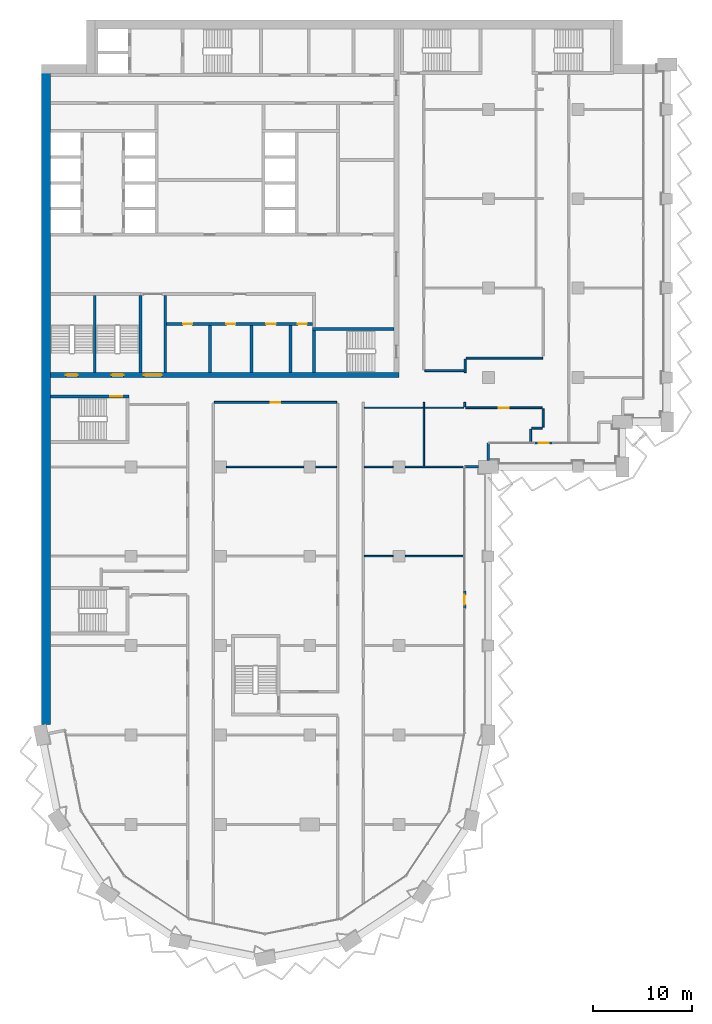
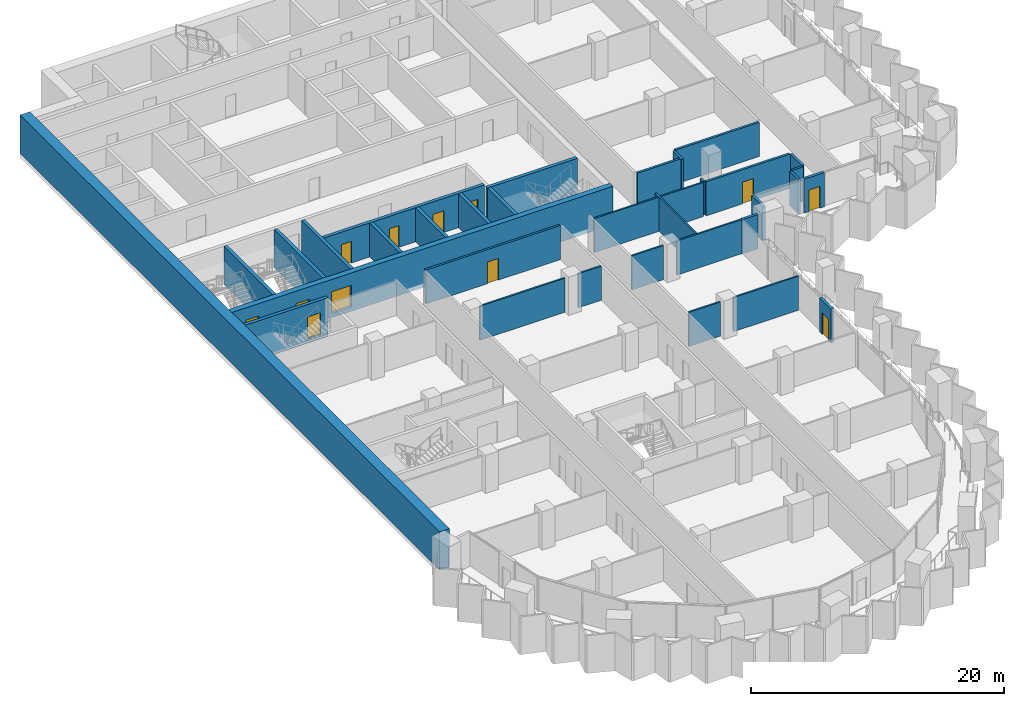
# One storey, part 11 of 22: 34 walls, 12 doors, 12 openings.
"""IFC4 building model written with IfcOpenShell, lengths in metres."""

from ifc_helpers import new_model, si_unit, direction, frame, frame_2d, origin, place, context, subcontext, project, spatial, rectangle, extrude, material, layer, layer_set, type_object, element, fill, save


model = new_model("IFC4")

# Units and contexts
model_context = context("Model", 3, precision=1e-05, world=origin(), true_north=direction((0.0, 1.0)))
body_context = subcontext(model_context, "Body", "Model", "MODEL_VIEW")
ifc_project = project(units=[si_unit("LENGTHUNIT", "METRE"), si_unit("AREAUNIT", "SQUARE_METRE"), si_unit("VOLUMEUNIT", "CUBIC_METRE"), si_unit("PLANEANGLEUNIT", "RADIAN"), si_unit("MASSUNIT", "GRAM", prefix="KILO")], contexts=[model_context])

# Site, building, storey
site_placement = place(None, origin())
site = spatial("IfcSite", under=ifc_project, at=site_placement, CompositionType="ELEMENT")
building_placement = place(site_placement, origin())
building = spatial("IfcBuilding", under=site, at=building_placement, Name="Hunhe Ridgeline Campus", CompositionType="ELEMENT")
storey_placement = place(building_placement, frame((0.0, 0.0, 163.39990234375)))
storey = spatial("IfcBuildingStorey", under=building, at=storey_placement, Name="L41", CompositionType="ELEMENT", Elevation=163.39990234375)

# Wall, openings, doors
ifc_material_1 = material(Name="Masonry concrete blockwork", Category="masonry")
ifc_layer_1 = layer(ifc_material_1, 0.300048828125)
ifc_layer_set_1 = layer_set([ifc_layer_1], Name="Core room partition 300 concrete block")
wall_type_1 = type_object("IfcWallType", Name="Core room partition 300 concrete block", PredefinedType="PARTITIONING", material=ifc_layer_set_1)
wall_1_placement = place(storey_placement, frame((12.60009765625, 68.39990234375, 0.0), z_axis=(0.0, 0.0, 1.0), x_axis=(1.0, 0.0, 0.0)))
wall_1 = element("IfcWall", 1, at=wall_1_placement, inside=storey, type_object=wall_type_1, Name="L41 core partition 9", PredefinedType="PARTITIONING", context=body_context, shape_type="SweptSolid", body=[
    extrude(rectangle(XDim=14.699951171875, YDim=0.300048828125, at=frame_2d((7.35009765625, 0.0))), origin(), (0.0, 0.0, 1.0), 3.300048828125),
])
opening_1_placement = place(wall_1_placement, frame((1.64990234375, 0.0, 0.0)))
opening_1 = element("IfcOpeningElement", 2, at=opening_1_placement, cuts=wall_1, Name="Opening CD8", PredefinedType="OPENING", context=body_context, shape_type="SweptSolid", body=[
    extrude(rectangle(XDim=0.89990234375, YDim=2.10009765625, at=frame_2d((0.449951171875, 1.050048828125))), frame((0.0, 0.14990234375, 0.0), z_axis=(0.0, -1.0, 0.0), x_axis=(1.0, 0.0, 0.0)), (0.0, 0.0, 1.0), 0.300048828125),
])
opening_2_placement = place(wall_1_placement, frame((6.0, 0.0, 0.0)))
opening_2 = element("IfcOpeningElement", 3, at=opening_2_placement, cuts=wall_1, Name="Opening CD9", PredefinedType="OPENING", context=body_context, shape_type="SweptSolid", body=[
    extrude(rectangle(XDim=0.89990234375, YDim=2.10009765625, at=frame_2d((0.449951171875, 1.050048828125))), frame((0.0, 0.14990234375, 0.0), z_axis=(0.0, -1.0, 0.0), x_axis=(1.0, 0.0, 0.0)), (0.0, 0.0, 1.0), 0.300048828125),
])
opening_3_placement = place(wall_1_placement, frame((10.0, 0.0, 0.0)))
opening_3 = element("IfcOpeningElement", 4, at=opening_3_placement, cuts=wall_1, Name="Opening CD10", PredefinedType="OPENING", context=body_context, shape_type="SweptSolid", body=[
    extrude(rectangle(XDim=1.0, YDim=2.10009765625, at=frame_2d((0.5, 1.050048828125))), frame((0.0, 0.14990234375, 0.0), z_axis=(0.0, -1.0, 0.0), x_axis=(1.0, 0.0, 0.0)), (0.0, 0.0, 1.0), 0.300048828125),
])
opening_4_placement = place(wall_1_placement, frame((13.199951171875, 0.0, 0.0)))
opening_4 = element("IfcOpeningElement", 5, at=opening_4_placement, cuts=wall_1, Name="Opening CD11", PredefinedType="OPENING", context=body_context, shape_type="SweptSolid", body=[
    extrude(rectangle(XDim=0.89990234375, YDim=2.10009765625, at=frame_2d((0.449951171875, 1.050048828125))), frame((0.0, 0.14990234375, 0.0), z_axis=(0.0, -1.0, 0.0), x_axis=(1.0, 0.0, 0.0)), (0.0, 0.0, 1.0), 0.300048828125),
])
ifc_material_2 = material(Name="Solid core timber door leaf", Category="wood")
door_type_1 = type_object("IfcDoorType", Name="Timber door 1000x2100", OperationType="SINGLE_SWING_LEFT", PredefinedType="DOOR", material=ifc_material_2)
door_1_placement = place(opening_3_placement, frame((1.0, 0.0, 0.0), z_axis=(0.0, 0.0, 1.0), x_axis=(-1.0, 0.0, 0.0)))
door_1 = element("IfcDoor", 6, at=door_1_placement, inside=storey, type_object=door_type_1, Name="L41 door WC3", OperationType="SINGLE_SWING_RIGHT", OverallHeight=2.10009765625, OverallWidth=1.0, PredefinedType="DOOR", context=body_context, shape_type="SweptSolid", body=[
    extrude(rectangle(XDim=1.0, YDim=2.10009765625, at=frame_2d((0.5, 1.050048828125))), frame((0.0, 0.02490234375, 0.0), z_axis=(0.0, -1.0, 0.0), x_axis=(1.0, 0.0, 0.0)), (0.0, 0.0, 1.0), 0.050048828125),
])
fill(opening_3, door_1)
door_type_2 = type_object("IfcDoorType", Name="Timber door 900x2100", OperationType="SINGLE_SWING_LEFT", PredefinedType="DOOR", material=ifc_material_2)
door_2_placement = place(opening_1_placement, frame((0.89990234375, 0.0, 0.0), z_axis=(0.0, 0.0, 1.0), x_axis=(-1.0, 0.0, 0.0)))
door_2 = element("IfcDoor", 7, at=door_2_placement, inside=storey, type_object=door_type_2, Name="L41 door WC1", OperationType="SINGLE_SWING_RIGHT", OverallHeight=2.10009765625, OverallWidth=0.89990234375, PredefinedType="DOOR", context=body_context, shape_type="SweptSolid", body=[
    extrude(rectangle(XDim=0.89990234375, YDim=2.10009765625, at=frame_2d((0.449951171875, 1.050048828125))), frame((0.0, 0.02490234375, 0.0), z_axis=(0.0, -1.0, 0.0), x_axis=(1.0, 0.0, 0.0)), (0.0, 0.0, 1.0), 0.050048828125),
])
fill(opening_1, door_2)
door_3_placement = place(opening_2_placement, frame((0.89990234375, 0.0, 0.0), z_axis=(0.0, 0.0, 1.0), x_axis=(-1.0, 0.0, 0.0)))
door_3 = element("IfcDoor", 8, at=door_3_placement, inside=storey, type_object=door_type_2, Name="L41 door WC2", OperationType="SINGLE_SWING_LEFT", OverallHeight=2.10009765625, OverallWidth=0.89990234375, PredefinedType="DOOR", context=body_context, shape_type="SweptSolid", body=[
    extrude(rectangle(XDim=0.89990234375, YDim=2.10009765625, at=frame_2d((0.449951171875, 1.050048828125))), frame((0.0, 0.02490234375, 0.0), z_axis=(0.0, -1.0, 0.0), x_axis=(1.0, 0.0, 0.0)), (0.0, 0.0, 1.0), 0.050048828125),
])
fill(opening_2, door_3)
door_4_placement = place(opening_4_placement, frame((0.89990234375, 0.0, 0.0), z_axis=(0.0, 0.0, 1.0), x_axis=(-1.0, 0.0, 0.0)))
door_4 = element("IfcDoor", 9, at=door_4_placement, inside=storey, type_object=door_type_2, Name="L41 door WC4", OperationType="SINGLE_SWING_LEFT", OverallHeight=2.10009765625, OverallWidth=0.89990234375, PredefinedType="DOOR", context=body_context, shape_type="SweptSolid", body=[
    extrude(rectangle(XDim=0.89990234375, YDim=2.10009765625, at=frame_2d((0.449951171875, 1.050048828125))), frame((0.0, 0.02490234375, 0.0), z_axis=(0.0, -1.0, 0.0), x_axis=(1.0, 0.0, 0.0)), (0.0, 0.0, 1.0), 0.050048828125),
])
fill(opening_4, door_4)

# Walls
wall_2_placement = place(storey_placement, frame((12.449951171875, 63.5, 0.0), z_axis=(0.0, 0.0, 1.0), x_axis=(0.0, 1.0, 0.0)))
element("IfcWall", 10, at=wall_2_placement, inside=storey, type_object=wall_type_1, Name="L41 core partition 42", PredefinedType="PARTITIONING", context=body_context, shape_type="SweptSolid", body=[
    extrude(rectangle(XDim=7.75, YDim=0.300048828125, at=frame_2d((3.875, 0.0))), origin(), (0.0, 0.0, 1.0), 3.300048828125),
])
for number, where, z_axis, x_axis, name in (
    (11, (16.949951171875, 63.5, 0.0), (0.0, 0.0, 1.0), (0.0, 1.0, 0.0), "L41 core partition 44"),
    (12, (21.14990234375, 63.5, 0.0), (0.0, 0.0, 1.0), (0.0, 1.0, 0.0), "L41 core partition 46"),
    (13, (25.050048828125, 63.5, 0.0), (0.0, 0.0, 1.0), (0.0, 1.0, 0.0), "L41 core partition 51"),
):
    element("IfcWall", number, at=place(storey_placement, frame(where, z_axis=z_axis, x_axis=x_axis)), inside=storey, type_object=wall_type_1, Name=name, PredefinedType="PARTITIONING", context=body_context, shape_type="SweptSolid", body=[
        extrude(rectangle(XDim=4.75, YDim=0.300048828125, at=frame_2d((2.375, 0.0))), origin(), (0.0, 0.0, 1.0), 3.300048828125),
    ])

# Wall, openings, doors
ifc_material_3 = material(Name="Concrete C70", Category="concrete")
ifc_layer_2 = layer(ifc_material_3, 0.5)
ifc_layer_set_2 = layer_set([ifc_layer_2], Name="Core wall 500 reinforced concrete C70")
wall_type_2 = type_object("IfcWallType", Name="Core wall 500 reinforced concrete C70", PredefinedType="SOLIDWALL", material=ifc_layer_set_2)
wall_3_placement = place(storey_placement, frame((0.89990234375, 63.25, -0.39990234375), z_axis=(0.0, 0.0, 1.0), x_axis=(1.0, 0.0, 0.0)))
wall_3 = element("IfcWall", 14, at=wall_3_placement, inside=storey, type_object=wall_type_2, Name="L41 core wall 7", PredefinedType="SOLIDWALL", context=body_context, shape_type="SweptSolid", body=[
    extrude(rectangle(XDim=35.10009765625, YDim=0.5, at=frame_2d((17.550048828125, 0.0))), origin(), (0.0, 0.0, 1.0), 3.699951171875),
])
opening_5_placement = place(wall_3_placement, frame((9.39990234375, 0.0, 0.39990234375)))
opening_5 = element("IfcOpeningElement", 15, at=opening_5_placement, cuts=wall_3, Name="Opening CD6", PredefinedType="OPENING", context=body_context, shape_type="SweptSolid", body=[
    extrude(rectangle(XDim=1.800048828125, YDim=2.10009765625, at=frame_2d((0.89990234375, 1.050048828125))), frame((0.0, 0.25, 0.0), z_axis=(0.0, -1.0, 0.0), x_axis=(1.0, 0.0, 0.0)), (0.0, 0.0, 1.0), 0.5),
])
opening_6_placement = place(wall_3_placement, frame((1.550048828125, 0.0, 0.39990234375)))
opening_6 = element("IfcOpeningElement", 16, at=opening_6_placement, cuts=wall_3, Name="Opening CD13", PredefinedType="OPENING", context=body_context, shape_type="SweptSolid", body=[
    extrude(rectangle(XDim=1.199951171875, YDim=2.10009765625, at=frame_2d((0.60009765625, 1.050048828125))), frame((0.0, 0.25, 0.0), z_axis=(0.0, -1.0, 0.0), x_axis=(1.0, 0.0, 0.0)), (0.0, 0.0, 1.0), 0.5),
])
opening_7_placement = place(wall_3_placement, frame((6.14990234375, 0.0, 0.39990234375)))
opening_7 = element("IfcOpeningElement", 17, at=opening_7_placement, cuts=wall_3, Name="Opening CD14", PredefinedType="OPENING", context=body_context, shape_type="SweptSolid", body=[
    extrude(rectangle(XDim=1.199951171875, YDim=2.10009765625, at=frame_2d((0.60009765625, 1.050048828125))), frame((0.0, 0.25, 0.0), z_axis=(0.0, -1.0, 0.0), x_axis=(1.0, 0.0, 0.0)), (0.0, 0.0, 1.0), 0.5),
])
ifc_material_4 = material(Name="Anodised aluminium and glass", Category="aluminium")
door_type_3 = type_object("IfcDoorType", Name="Glazed double door 1800x2100", OperationType="DOUBLE_DOOR_SINGLE_SWING", PredefinedType="DOOR", material=ifc_material_4)
door_5_placement = place(opening_5_placement, frame((1.800048828125, 0.0, 0.0), z_axis=(0.0, 0.0, 1.0), x_axis=(-1.0, 0.0, 0.0)))
door_5 = element("IfcDoor", 18, at=door_5_placement, inside=storey, type_object=door_type_3, Name="L41 door VEST-FLOOR", OperationType="DOUBLE_DOOR_SINGLE_SWING", OverallHeight=2.10009765625, OverallWidth=1.800048828125, PredefinedType="DOOR", context=body_context, shape_type="SweptSolid", body=[
    extrude(rectangle(XDim=1.800048828125, YDim=2.10009765625, at=frame_2d((0.89990234375, 1.050048828125))), frame((0.0, 0.02490234375, 0.0), z_axis=(0.0, -1.0, 0.0), x_axis=(1.0, 0.0, 0.0)), (0.0, 0.0, 1.0), 0.050048828125),
])
fill(opening_5, door_5)
ifc_material_5 = material(Name="Hollow metal fire door leaf")
door_type_4 = type_object("IfcDoorType", Name="Stair door 1200x2100 FD60", OperationType="SINGLE_SWING_LEFT", PredefinedType="DOOR", material=ifc_material_5)
door_6_placement = place(opening_6_placement, frame((1.199951171875, 0.0, 0.0), z_axis=(0.0, 0.0, 1.0), x_axis=(-1.0, 0.0, 0.0)))
door_6 = element("IfcDoor", 19, at=door_6_placement, inside=storey, type_object=door_type_4, Name="L41 door S3", OperationType="SINGLE_SWING_RIGHT", OverallHeight=2.10009765625, OverallWidth=1.199951171875, PredefinedType="DOOR", context=body_context, shape_type="SweptSolid", body=[
    extrude(rectangle(XDim=1.199951171875, YDim=2.10009765625, at=frame_2d((0.60009765625, 1.050048828125))), frame((0.0, 0.02490234375, 0.0), z_axis=(0.0, -1.0, 0.0), x_axis=(1.0, 0.0, 0.0)), (0.0, 0.0, 1.0), 0.050048828125),
])
fill(opening_6, door_6)
door_7_placement = place(opening_7_placement, frame((1.199951171875, 0.0, 0.0), z_axis=(0.0, 0.0, 1.0), x_axis=(-1.0, 0.0, 0.0)))
door_7 = element("IfcDoor", 20, at=door_7_placement, inside=storey, type_object=door_type_4, Name="L41 door S4", OperationType="SINGLE_SWING_LEFT", OverallHeight=2.10009765625, OverallWidth=1.199951171875, PredefinedType="DOOR", context=body_context, shape_type="SweptSolid", body=[
    extrude(rectangle(XDim=1.199951171875, YDim=2.10009765625, at=frame_2d((0.60009765625, 1.050048828125))), frame((0.0, 0.02490234375, 0.0), z_axis=(0.0, -1.0, 0.0), x_axis=(1.0, 0.0, 0.0)), (0.0, 0.0, 1.0), 0.050048828125),
])
fill(opening_7, door_7)

# Walls
ifc_material_6 = material(Name="Concrete C30", Category="concrete")
ifc_layer_3 = layer(ifc_material_6, 0.25)
ifc_layer_set_3 = layer_set([ifc_layer_3], Name="Corner return wall 250 Concrete C30")
wall_type_3 = type_object("IfcWallType", Name="Corner return wall 250 Concrete C30", PredefinedType="SOLIDWALL", material=ifc_layer_set_3)
wall_4_placement = place(storey_placement, frame((42.59912109375, 54.00048828125, 0.0), z_axis=(0.0, 0.0, 1.0), x_axis=(0.999999984814, 0.000174276749, 0.0)))
element("IfcWall", 21, at=wall_4_placement, inside=storey, type_object=wall_type_3, Name="Corner return wall 2", PredefinedType="SOLIDWALL", context=body_context, shape_type="SweptSolid", body=[
    extrude(rectangle(XDim=1.40087890625, YDim=0.25, at=frame_2d((0.700439453125, 0.0))), origin(), (0.0, 0.0, 1.0), 3.300048828125),
])
wall_5_placement = place(storey_placement, frame((44.999267578125, 54.64990234375, 0.0), z_axis=(0.0, 0.0, 1.0), x_axis=(0.000278862231, 0.999999961118, 0.0)))
element("IfcWall", 22, at=wall_5_placement, inside=storey, type_object=wall_type_3, Name="Corner return wall 3", PredefinedType="SOLIDWALL", context=body_context, shape_type="SweptSolid", body=[
    extrude(rectangle(XDim=1.7509765625, YDim=0.25, at=frame_2d((0.87548828125, 0.0))), origin(), (0.0, 0.0, 1.0), 3.300048828125),
])
ifc_material_7 = material(Name="Gypsum board partition")
ifc_layer_4 = layer(ifc_material_7, 0.199951171875)
ifc_layer_set_4 = layer_set([ifc_layer_4], Name="Corridor partition 200 gypsum board on steel studs")
wall_type_4 = type_object("IfcWallType", Name="Corridor partition 200 gypsum board on steel studs", PredefinedType="PARTITIONING", material=ifc_layer_set_4)
wall_6_placement = place(storey_placement, frame((49.34912109375, 57.90087890625, 0.0), z_axis=(0.0, 0.0, 1.0), x_axis=(1.0, 0.0, 0.0)))
element("IfcWall", 23, at=wall_6_placement, inside=storey, type_object=wall_type_4, Name="F-L41-wall-036", PredefinedType="PARTITIONING", context=body_context, shape_type="SweptSolid", body=[
    extrude(rectangle(XDim=1.05078125, YDim=0.199951171875, at=frame_2d((0.525390625, 0.0))), origin(), (0.0, 0.0, 1.0), 3.300048828125),
])

# Wall, opening, door
wall_7_placement = place(storey_placement, frame((50.39990234375, 59.950927734375, 0.0), z_axis=(0.0, 0.0, 1.0), x_axis=(-1.0, 0.0, 0.0)))
wall_7 = element("IfcWall", 24, at=wall_7_placement, inside=storey, type_object=wall_type_4, Name="F-L41-wall-039", PredefinedType="PARTITIONING", context=body_context, shape_type="SweptSolid", body=[
    extrude(rectangle(XDim=7.699951171875, YDim=0.199951171875, at=frame_2d((3.85009765625, 0.0))), origin(), (0.0, 0.0, 1.0), 3.300048828125),
])
opening_8_placement = place(wall_7_placement, frame((3.35009765625, 0.0, 0.0)))
opening_8 = element("IfcOpeningElement", 25, at=opening_8_placement, cuts=wall_7, Name="Opening RD1-027", PredefinedType="OPENING", context=body_context, shape_type="SweptSolid", body=[
    extrude(rectangle(XDim=1.0, YDim=2.10009765625, at=frame_2d((0.5, 1.050048828125))), frame((0.0, 0.10009765625, 0.0), z_axis=(0.0, -1.0, 0.0), x_axis=(1.0, 0.0, 0.0)), (0.0, 0.0, 1.0), 0.199951171875),
])
ifc_material_8 = material(Name="Timber door leaf", Category="wood")
door_type_5 = type_object("IfcDoorType", Name="Single fire door 1000x2100 timber FD60", OperationType="NOTDEFINED", PredefinedType="DOOR", material=ifc_material_8)
door_8_placement = place(opening_8_placement, origin())
door_8 = element("IfcDoor", 26, at=door_8_placement, inside=storey, type_object=door_type_5, Name="F-L41-door-027", OperationType="SINGLE_SWING_LEFT", OverallHeight=2.10009765625, OverallWidth=1.0, PredefinedType="DOOR", context=body_context, shape_type="SweptSolid", body=[
    extrude(rectangle(XDim=1.0, YDim=2.10009765625, at=frame_2d((0.5, 1.050048828125))), frame((0.0, 0.02490234375, 0.0), z_axis=(0.0, -1.0, 0.0), x_axis=(1.0, 0.0, 0.0)), (0.0, 0.0, 1.0), 0.050048828125),
])
fill(opening_8, door_8)

wall_8_placement = place(storey_placement, frame((29.699951171875, 60.5, 0.0), z_axis=(0.0, 0.0, 1.0), x_axis=(-1.0, 0.0, 0.0)))
wall_8 = element("IfcWall", 27, at=wall_8_placement, inside=storey, type_object=wall_type_4, Name="F-L41-wall-041", PredefinedType="PARTITIONING", context=body_context, shape_type="SweptSolid", body=[
    extrude(rectangle(XDim=12.300048828125, YDim=0.199951171875, at=frame_2d((6.14990234375, 0.0))), origin(), (0.0, 0.0, 1.0), 3.300048828125),
])
opening_9_placement = place(wall_8_placement, frame((5.64990234375, 0.0, 0.0)))
opening_9 = element("IfcOpeningElement", 28, at=opening_9_placement, cuts=wall_8, Name="Opening RD1-028", PredefinedType="OPENING", context=body_context, shape_type="SweptSolid", body=[
    extrude(rectangle(XDim=1.0, YDim=2.10009765625, at=frame_2d((0.5, 1.050048828125))), frame((0.0, 0.10009765625, 0.0), z_axis=(0.0, -1.0, 0.0), x_axis=(1.0, 0.0, 0.0)), (0.0, 0.0, 1.0), 0.199951171875),
])
door_9_placement = place(opening_9_placement, origin())
door_9 = element("IfcDoor", 29, at=door_9_placement, inside=storey, type_object=door_type_5, Name="F-L41-door-028", OperationType="SINGLE_SWING_LEFT", OverallHeight=2.10009765625, OverallWidth=1.0, PredefinedType="DOOR", context=body_context, shape_type="SweptSolid", body=[
    extrude(rectangle(XDim=1.0, YDim=2.10009765625, at=frame_2d((0.5, 1.050048828125))), frame((0.0, 0.02490234375, 0.0), z_axis=(0.0, -1.0, 0.0), x_axis=(1.0, 0.0, 0.0)), (0.0, 0.0, 1.0), 0.050048828125),
])
fill(opening_9, door_9)

# Walls
wall_9_placement = place(storey_placement, frame((38.60009765625, 63.699951171875, 0.0), z_axis=(0.0, 0.0, 1.0), x_axis=(1.0, 0.0, 0.0)))
element("IfcWall", 30, at=wall_9_placement, inside=storey, type_object=wall_type_4, Name="F-L41-wall-043", PredefinedType="PARTITIONING", context=body_context, shape_type="SweptSolid", body=[
    extrude(rectangle(XDim=3.949951171875, YDim=0.199951171875, at=frame_2d((1.97509765625, 0.0))), origin(), (0.0, 0.0, 1.0), 3.300048828125),
])
wall_10_placement = place(storey_placement, frame((42.75, 64.949951171875, 0.0), z_axis=(0.0, 0.0, 1.0), x_axis=(1.0, 0.0, 0.0)))
element("IfcWall", 31, at=wall_10_placement, inside=storey, type_object=wall_type_4, Name="F-L41-wall-044", PredefinedType="PARTITIONING", context=body_context, shape_type="SweptSolid", body=[
    extrude(rectangle(XDim=7.699951171875, YDim=0.199951171875, at=frame_2d((3.85009765625, 0.0))), origin(), (0.0, 0.0, 1.0), 3.300048828125),
])
wall_11_placement = place(storey_placement, frame((42.60009765625, 60.051025390625, 0.0), z_axis=(0.0, 0.0, 1.0), x_axis=(0.0, 1.0, 0.0)))
element("IfcWall", 32, at=wall_11_placement, inside=storey, type_object=wall_type_4, Name="F-L41-wall-065", PredefinedType="PARTITIONING", context=body_context, shape_type="SweptSolid", body=[
    extrude(rectangle(XDim=0.448974609375, YDim=0.199951171875, at=frame_2d((0.224609375, 0.0))), origin(), (0.0, 0.0, 1.0), 3.300048828125),
])
wall_12_placement = place(storey_placement, frame((42.64990234375, 63.487548828125, 0.0), z_axis=(0.0, 0.0, 1.0), x_axis=(0.0, 1.0, 0.0)))
element("IfcWall", 33, at=wall_12_placement, inside=storey, type_object=wall_type_4, Name="F-L41-wall-066", PredefinedType="PARTITIONING", context=body_context, shape_type="SweptSolid", body=[
    extrude(rectangle(XDim=1.362548828125, YDim=0.199951171875, at=frame_2d((0.68115234375, 0.0))), origin(), (0.0, 0.0, 1.0), 3.300048828125),
])
wall_13_placement = place(storey_placement, frame((49.2490234375, 56.455078125, 0.0), z_axis=(0.0, 0.0, 1.0), x_axis=(0.0, 1.0, 0.0)))
element("IfcWall", 34, at=wall_13_placement, inside=storey, type_object=wall_type_4, Name="F-L41-wall-067", PredefinedType="PARTITIONING", context=body_context, shape_type="SweptSolid", body=[
    extrude(rectangle(XDim=1.345947265625, YDim=0.199951171875, at=frame_2d((0.6728515625, 0.0))), origin(), (0.0, 0.0, 1.0), 3.300048828125),
])
wall_14_placement = place(storey_placement, frame((50.5, 58.0009765625, 0.0), z_axis=(0.0, 0.0, 1.0), x_axis=(0.0, 1.0, 0.0)))
element("IfcWall", 35, at=wall_14_placement, inside=storey, type_object=wall_type_4, Name="F-L41-wall-072", PredefinedType="PARTITIONING", context=body_context, shape_type="SweptSolid", body=[
    extrude(rectangle(XDim=1.8447265625, YDim=0.199951171875, at=frame_2d((0.92236328125, 0.0))), origin(), (0.0, 0.0, 1.0), 3.300048828125),
])

# Wall, opening, door
ifc_layer_5 = layer(ifc_material_6, 0.25)
ifc_layer_set_5 = layer_set([ifc_layer_5], Name="Loggia door pier wall 250 Concrete C30")
wall_type_5 = type_object("IfcWallType", Name="Loggia door pier wall 250 Concrete C30", PredefinedType="SOLIDWALL", material=ifc_layer_set_5)
wall_15_placement = place(storey_placement, frame((42.59912109375, 39.718505859375, 0.0), z_axis=(0.0, 0.0, 1.0), x_axis=(0.0, 1.0, 0.0)))
wall_15 = element("IfcWall", 36, at=wall_15_placement, inside=storey, type_object=wall_type_5, Name="Loggia door pier 3", PredefinedType="SOLIDWALL", context=body_context, shape_type="SweptSolid", body=[
    extrude(rectangle(XDim=1.800048828125, YDim=0.25, at=frame_2d((0.89990234375, 0.0))), origin(), (0.0, 0.0, 1.0), 3.300048828125),
])
opening_10_placement = place(wall_15_placement, frame((0.39990234375, 0.0, 0.0)))
opening_10 = element("IfcOpeningElement", 37, at=opening_10_placement, cuts=wall_15, Name="Opening BD305", PredefinedType="OPENING", context=body_context, shape_type="SweptSolid", body=[
    extrude(rectangle(XDim=1.0, YDim=2.10009765625, at=frame_2d((0.5, 1.050048828125))), frame((0.0, 0.125, 0.0), z_axis=(0.0, -1.0, 0.0), x_axis=(1.0, 0.0, 0.0)), (0.0, 0.0, 1.0), 0.25),
])
ifc_material_9 = material(Name="Aluminium 6063", Category="aluminium")
door_type_6 = type_object("IfcDoorType", Name="Loggia glazed door 1000x2100", OperationType="NOTDEFINED", PredefinedType="DOOR", material=ifc_material_9)
door_10_placement = place(opening_10_placement, frame((1.0, 0.0, 0.0), z_axis=(0.0, 0.0, 1.0), x_axis=(-1.0, 0.0, 0.0)))
door_10 = element("IfcDoor", 38, at=door_10_placement, inside=storey, type_object=door_type_6, Name="Loggia door BD305", OperationType="SINGLE_SWING_RIGHT", OverallHeight=2.10009765625, OverallWidth=1.0, PredefinedType="DOOR", context=body_context, shape_type="SweptSolid", body=[
    extrude(rectangle(XDim=1.0, YDim=2.10009765625, at=frame_2d((0.5, 1.050048828125))), frame((0.0, 0.02490234375, 0.0), z_axis=(0.0, -1.0, 0.0), x_axis=(1.0, 0.0, 0.0)), (0.0, 0.0, 1.0), 0.050048828125),
])
fill(opening_10, door_10)

wall_16_placement = place(storey_placement, frame((49.6494140625, 56.40087890625, 0.0), z_axis=(0.0, 0.0, 1.0), x_axis=(1.0, 0.0, 0.0)))
wall_16 = element("IfcWall", 39, at=wall_16_placement, inside=storey, type_object=wall_type_5, Name="Loggia door pier 4", PredefinedType="SOLIDWALL", context=body_context, shape_type="SweptSolid", body=[
    extrude(rectangle(XDim=1.800048828125, YDim=0.25, at=frame_2d((0.89990234375, 0.0))), origin(), (0.0, 0.0, 1.0), 3.300048828125),
])
opening_11_placement = place(wall_16_placement, frame((0.39990234375, 0.0, 0.0)))
opening_11 = element("IfcOpeningElement", 40, at=opening_11_placement, cuts=wall_16, Name="Opening BD306", PredefinedType="OPENING", context=body_context, shape_type="SweptSolid", body=[
    extrude(rectangle(XDim=1.0, YDim=2.10009765625, at=frame_2d((0.5, 1.050048828125))), frame((0.0, 0.125, 0.0), z_axis=(0.0, -1.0, 0.0), x_axis=(1.0, 0.0, 0.0)), (0.0, 0.0, 1.0), 0.25),
])
door_11_placement = place(opening_11_placement, frame((1.0, 0.0, 0.0), z_axis=(0.0, 0.0, 1.0), x_axis=(-1.0, 0.0, 0.0)))
door_11 = element("IfcDoor", 41, at=door_11_placement, inside=storey, type_object=door_type_6, Name="Loggia door BD306", OperationType="SINGLE_SWING_LEFT", OverallHeight=2.10009765625, OverallWidth=1.0, PredefinedType="DOOR", context=body_context, shape_type="SweptSolid", body=[
    extrude(rectangle(XDim=1.0, YDim=2.10009765625, at=frame_2d((0.5, 1.050048828125))), frame((0.0, 0.02490234375, 0.0), z_axis=(0.0, -1.0, 0.0), x_axis=(1.0, 0.0, 0.0)), (0.0, 0.0, 1.0), 0.050048828125),
])
fill(opening_11, door_11)

# Walls
ifc_layer_6 = layer(ifc_material_7, 0.14990234375)
ifc_layer_set_6 = layer_set([ifc_layer_6], Name="Room partition 150 gypsum board on steel studs")
wall_type_6 = type_object("IfcWallType", Name="Room partition 150 gypsum board on steel studs", PredefinedType="PARTITIONING", material=ifc_layer_set_6)
wall_17_placement = place(storey_placement, frame((32.5, 45.0, 0.0), z_axis=(0.0, 0.0, 1.0), x_axis=(1.0, 0.0, 0.0)))
element("IfcWall", 42, at=wall_17_placement, inside=storey, type_object=wall_type_6, Name="F-L41-wall-028", PredefinedType="PARTITIONING", context=body_context, shape_type="SweptSolid", body=[
    extrude(rectangle(XDim=2.89990234375, YDim=0.14990234375, at=frame_2d((1.449951171875, 0.0))), origin(), (0.0, 0.0, 1.0), 3.300048828125),
])
wall_18_placement = place(storey_placement, frame((36.60009765625, 45.0, 0.0), z_axis=(0.0, 0.0, 1.0), x_axis=(1.0, 0.0, 0.0)))
element("IfcWall", 43, at=wall_18_placement, inside=storey, type_object=wall_type_6, Name="F-L41-wall-029", PredefinedType="PARTITIONING", context=body_context, shape_type="SweptSolid", body=[
    extrude(rectangle(XDim=5.945068359375, YDim=0.14990234375, at=frame_2d((2.97265625, 0.0))), origin(), (0.0, 0.0, 1.0), 3.300048828125),
])
wall_19_placement = place(storey_placement, frame((18.60009765625, 54.0, 0.0), z_axis=(0.0, 0.0, 1.0), x_axis=(1.0, 0.0, 0.0)))
element("IfcWall", 44, at=wall_19_placement, inside=storey, type_object=wall_type_6, Name="F-L41-wall-032", PredefinedType="PARTITIONING", context=body_context, shape_type="SweptSolid", body=[
    extrude(rectangle(XDim=7.7998046875, YDim=0.14990234375, at=frame_2d((3.89990234375, 0.0))), origin(), (0.0, 0.0, 1.0), 3.300048828125),
])
wall_20_placement = place(storey_placement, frame((27.60009765625, 54.0, 0.0), z_axis=(0.0, 0.0, 1.0), x_axis=(1.0, 0.0, 0.0)))
element("IfcWall", 45, at=wall_20_placement, inside=storey, type_object=wall_type_6, Name="F-L41-wall-033", PredefinedType="PARTITIONING", context=body_context, shape_type="SweptSolid", body=[
    extrude(rectangle(XDim=2.099853515625, YDim=0.14990234375, at=frame_2d((1.0498046875, 0.0))), origin(), (0.0, 0.0, 1.0), 3.300048828125),
])
wall_21_placement = place(storey_placement, frame((32.5, 54.0, 0.0), z_axis=(0.0, 0.0, 1.0), x_axis=(1.0, 0.0, 0.0)))
element("IfcWall", 46, at=wall_21_placement, inside=storey, type_object=wall_type_6, Name="F-L41-wall-034", PredefinedType="PARTITIONING", context=body_context, shape_type="SweptSolid", body=[
    extrude(rectangle(XDim=2.89990234375, YDim=0.14990234375, at=frame_2d((1.449951171875, 0.0))), origin(), (0.0, 0.0, 1.0), 3.300048828125),
])
wall_22_placement = place(storey_placement, frame((36.60009765625, 54.0, 0.0), z_axis=(0.0, 0.0, 1.0), x_axis=(1.0, 0.0, 0.0)))
element("IfcWall", 47, at=wall_22_placement, inside=storey, type_object=wall_type_6, Name="F-L41-wall-035", PredefinedType="PARTITIONING", context=body_context, shape_type="SweptSolid", body=[
    extrude(rectangle(XDim=5.945068359375, YDim=0.14990234375, at=frame_2d((2.97265625, 0.0))), origin(), (0.0, 0.0, 1.0), 3.300048828125),
])
wall_23_placement = place(storey_placement, frame((32.5, 59.950927734375, 0.0), z_axis=(0.0, 0.0, 1.0), x_axis=(1.0, 0.0, 0.0)))
element("IfcWall", 48, at=wall_23_placement, inside=storey, type_object=wall_type_6, Name="F-L41-wall-037", PredefinedType="PARTITIONING", context=body_context, shape_type="SweptSolid", body=[
    extrude(rectangle(XDim=5.925048828125, YDim=0.14990234375, at=frame_2d((2.96240234375, 0.0))), origin(), (0.0, 0.0, 1.0), 3.300048828125),
])
wall_24_placement = place(storey_placement, frame((38.574951171875, 59.950927734375, 0.0), z_axis=(0.0, 0.0, 1.0), x_axis=(1.0, 0.0, 0.0)))
element("IfcWall", 49, at=wall_24_placement, inside=storey, type_object=wall_type_6, Name="F-L41-wall-038", PredefinedType="PARTITIONING", context=body_context, shape_type="SweptSolid", body=[
    extrude(rectangle(XDim=3.925048828125, YDim=0.14990234375, at=frame_2d((1.96240234375, 0.0))), origin(), (0.0, 0.0, 1.0), 3.300048828125),
])
wall_25_placement = place(storey_placement, frame((38.5, 60.5, 0.0), z_axis=(0.0, 0.0, 1.0), x_axis=(0.0, -1.0, 0.0)))
element("IfcWall", 50, at=wall_25_placement, inside=storey, type_object=wall_type_6, Name="F-L41-wall-063", PredefinedType="PARTITIONING", context=body_context, shape_type="SweptSolid", body=[
    extrude(rectangle(XDim=6.425048828125, YDim=0.14990234375, at=frame_2d((3.21240234375, 0.0))), origin(), (0.0, 0.0, 1.0), 3.300048828125),
])
ifc_layer_7 = layer(ifc_material_3, 0.89990234375)
ifc_layer_set_7 = layer_set([ifc_layer_7], Name="Spine wall 900 Concrete C70")
wall_type_7 = type_object("IfcWallType", Name="Spine wall 900 Concrete C70", PredefinedType="SHEAR", material=ifc_layer_set_7)
wall_26_placement = place(storey_placement, frame((0.449951171875, 94.5, 0.0), z_axis=(0.0, 0.0, 1.0), x_axis=(0.0, -1.0, 0.0)))
element("IfcWall", 51, at=wall_26_placement, inside=storey, type_object=wall_type_7, Name="Spine wall SW2-1 L41", PredefinedType="SHEAR", context=body_context, shape_type="SweptSolid", body=[
    extrude(rectangle(XDim=66.430419921875, YDim=0.89990234375, at=frame_2d((33.21533203125, 0.0))), origin(), (0.0, 0.0, 1.0), 3.7001953125),
])

# Wall, opening, door
ifc_layer_8 = layer(ifc_material_3, 0.300048828125)
ifc_layer_set_8 = layer_set([ifc_layer_8], Name="Stair wall 300 reinforced concrete C70")
wall_type_8 = type_object("IfcWallType", Name="Stair wall 300 reinforced concrete C70", PredefinedType="SOLIDWALL", material=ifc_layer_set_8)
wall_27_placement = place(storey_placement, frame((0.89990234375, 61.10009765625, -0.39990234375), z_axis=(0.0, 0.0, 1.0), x_axis=(1.0, 0.0, 0.0)))
wall_27 = element("IfcWall", 52, at=wall_27_placement, inside=storey, type_object=wall_type_8, Name="L41 core wall 6", PredefinedType="SOLIDWALL", context=body_context, shape_type="SweptSolid", body=[
    extrude(rectangle(XDim=7.900146484375, YDim=0.300048828125, at=frame_2d((3.9501953125, 0.0))), origin(), (0.0, 0.0, 1.0), 3.699951171875),
])
opening_12_placement = place(wall_27_placement, frame((6.0, 0.0, 0.39990234375)))
opening_12 = element("IfcOpeningElement", 53, at=opening_12_placement, cuts=wall_27, Name="Opening CD22", PredefinedType="OPENING", context=body_context, shape_type="SweptSolid", body=[
    extrude(rectangle(XDim=1.199951171875, YDim=2.10009765625, at=frame_2d((0.60009765625, 1.050048828125))), frame((0.0, 0.14990234375, 0.0), z_axis=(0.0, -1.0, 0.0), x_axis=(1.0, 0.0, 0.0)), (0.0, 0.0, 1.0), 0.300048828125),
])
door_12_placement = place(opening_12_placement, origin())
door_12 = element("IfcDoor", 54, at=door_12_placement, inside=storey, type_object=door_type_4, Name="L41 door W2", OperationType="SINGLE_SWING_RIGHT", OverallHeight=2.10009765625, OverallWidth=1.199951171875, PredefinedType="DOOR", context=body_context, shape_type="SweptSolid", body=[
    extrude(rectangle(XDim=1.199951171875, YDim=2.10009765625, at=frame_2d((0.60009765625, 1.050048828125))), frame((0.0, 0.02490234375, 0.0), z_axis=(0.0, -1.0, 0.0), x_axis=(1.0, 0.0, 0.0)), (0.0, 0.0, 1.0), 0.050048828125),
])
fill(opening_12, door_12)

# Walls
wall_28_placement = place(storey_placement, frame((27.300048828125, 67.89990234375, -0.39990234375), z_axis=(0.0, 0.0, 1.0), x_axis=(1.0, 0.0, 0.0)))
element("IfcWall", 55, at=wall_28_placement, inside=storey, type_object=wall_type_8, Name="L41 core wall 8", PredefinedType="SOLIDWALL", context=body_context, shape_type="SweptSolid", body=[
    extrude(rectangle(XDim=8.199951171875, YDim=0.300048828125, at=frame_2d((4.10009765625, 0.0))), origin(), (0.0, 0.0, 1.0), 3.699951171875),
])
for number, where, z_axis, x_axis, name in (
    (56, (5.35009765625, 63.5, -0.39990234375), (0.0, 0.0, 1.0), (0.0, 1.0, 0.0), "L41 core wall 33"),
    (57, (9.949951171875, 63.5, -0.39990234375), (0.0, 0.0, 1.0), (0.0, 1.0, 0.0), "L41 core wall 39"),
):
    element("IfcWall", number, at=place(storey_placement, frame(where, z_axis=z_axis, x_axis=x_axis)), inside=storey, type_object=wall_type_8, Name=name, PredefinedType="SOLIDWALL", context=body_context, shape_type="SweptSolid", body=[
        extrude(rectangle(XDim=7.75, YDim=0.300048828125, at=frame_2d((3.875, 0.0))), origin(), (0.0, 0.0, 1.0), 3.699951171875),
    ])
wall_29_placement = place(storey_placement, frame((27.449951171875, 63.5, -0.39990234375), z_axis=(0.0, 0.0, 1.0), x_axis=(0.0, 1.0, 0.0)))
element("IfcWall", 58, at=wall_29_placement, inside=storey, type_object=wall_type_8, Name="L41 core wall 54", PredefinedType="SOLIDWALL", context=body_context, shape_type="SweptSolid", body=[
    extrude(rectangle(XDim=4.25, YDim=0.300048828125, at=frame_2d((2.125, 0.0))), origin(), (0.0, 0.0, 1.0), 3.699951171875),
])

save(model, "model.ifc")
